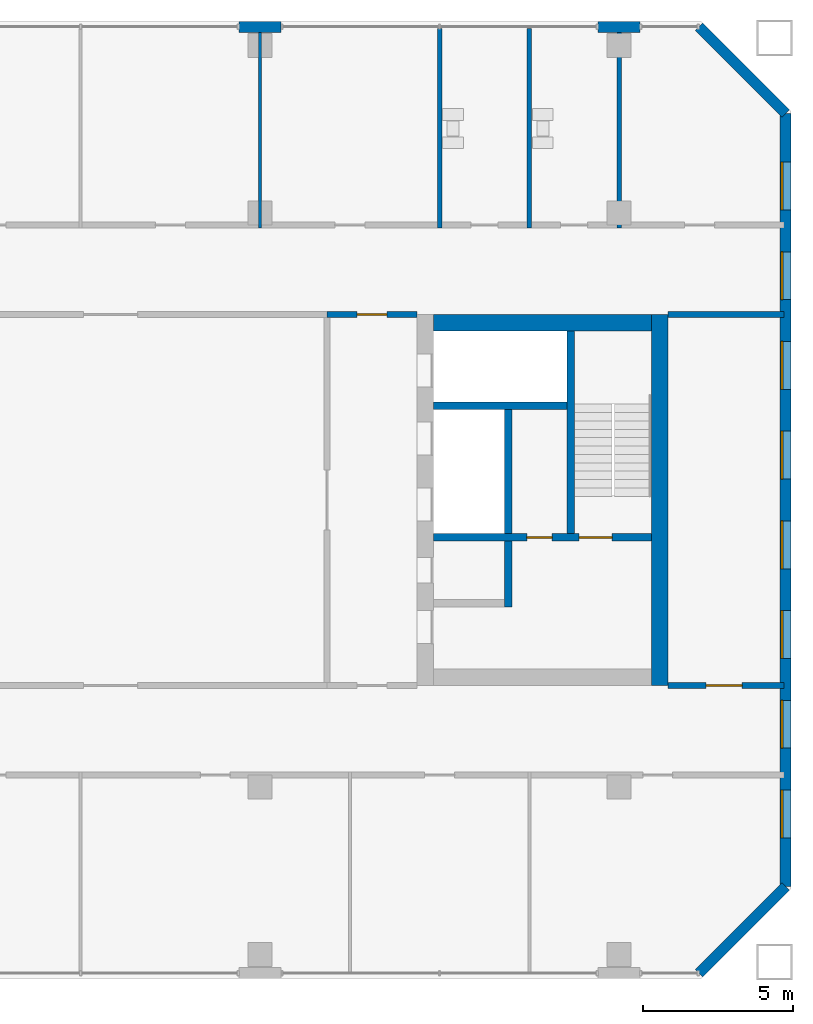
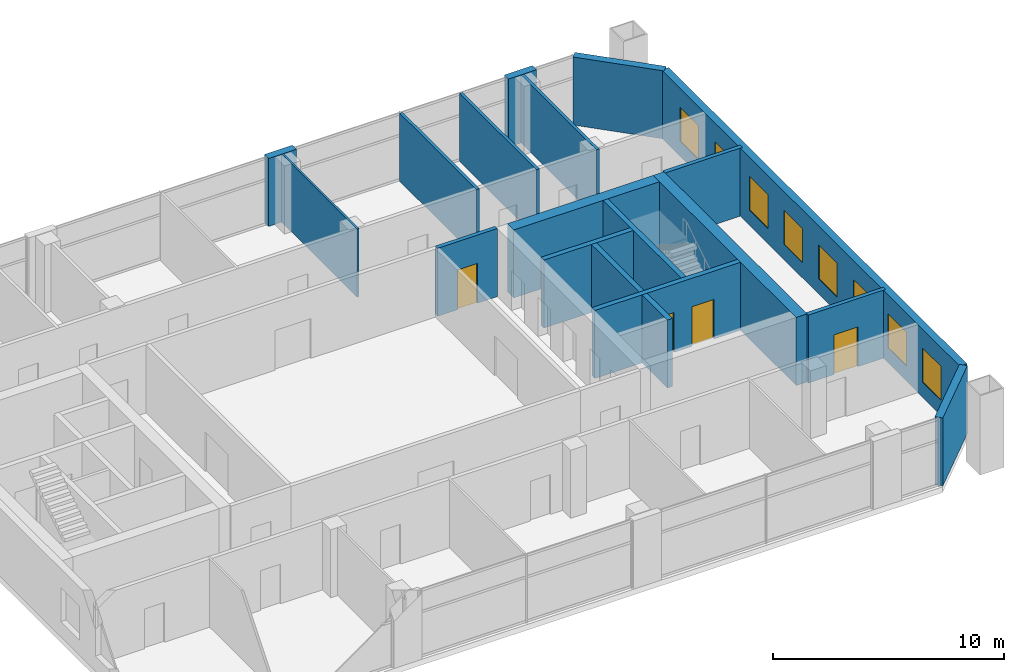
# One storey, part 14 of 17: 19 walls, 8 windows, 4 doors, 12 openings.
"""IFC4 building model written with IfcOpenShell, lengths in metres."""

from ifc_helpers import new_model, si_unit, direction, frame, frame_2d, origin, place, context, subcontext, project, spatial, rectangle, extrude, material, layer, layer_set, type_object, element, fill, save


model = new_model("IFC4")

# Units and contexts
model_context = context("Model", 3, precision=1e-05, world=origin(), true_north=direction((0.0, 1.0)))
body_context = subcontext(model_context, "Body", "Model", "MODEL_VIEW")
ifc_project = project(units=[si_unit("LENGTHUNIT", "METRE"), si_unit("AREAUNIT", "SQUARE_METRE"), si_unit("VOLUMEUNIT", "CUBIC_METRE"), si_unit("PLANEANGLEUNIT", "RADIAN"), si_unit("MASSUNIT", "GRAM", prefix="KILO")], contexts=[model_context])

# Site, building, storey
site_placement = place(None, origin())
site = spatial("IfcSite", under=ifc_project, at=site_placement, CompositionType="ELEMENT")
building_placement = place(site_placement, origin())
building = spatial("IfcBuilding", under=site, at=building_placement, Name="Tuart Gate Housing", CompositionType="ELEMENT")
storey_placement = place(building_placement, frame((0.0, 0.0, 119.5)))
storey = spatial("IfcBuildingStorey", under=building, at=storey_placement, Name="L33", CompositionType="ELEMENT", Elevation=119.5)

# Walls
ifc_material_1 = material(Name="Gypsum board on steel studs", Category="steel")
ifc_layer_1 = layer(ifc_material_1, 0.14990234375)
ifc_layer_set_1 = layer_set([ifc_layer_1], Name="Bathroom wall 150")
wall_type_1 = type_object("IfcWallType", Name="Bathroom wall 150", PredefinedType="PLUMBINGWALL", material=ifc_layer_set_1)
for number, where, z_axis, x_axis, name in (
    (1, (161.0, 79.10009765625, 0.0), (0.0, 0.0, 1.0), (0.0, 1.0, 0.0), "Bathroom wall 150"),
    (2, (164.0, 79.10009765625, 0.0), (0.0, 0.0, 1.0), (0.0, 1.0, 0.0), "Bathroom wall 150"),
    (3, (167.0, 79.10009765625, 0.0), (0.0, 0.0, 1.0), (0.0, 1.0, 0.0), "Bathroom wall 150"),
):
    element("IfcWall", number, at=place(storey_placement, frame(where, z_axis=z_axis, x_axis=x_axis)), inside=storey, type_object=wall_type_1, Name=name, PredefinedType="PLUMBINGWALL", context=body_context, shape_type="SweptSolid", body=[
        extrude(rectangle(XDim=6.659912109375, YDim=0.14990234375, at=frame_2d((3.330078125, 0.0))), origin(), (0.0, 0.0, 1.0), 3.60009765625),
    ])
ifc_material_2 = material(Name="Brick", Category="masonry")
ifc_layer_2 = layer(ifc_material_2, 0.360107421875)
ifc_layer_set_2 = layer_set([ifc_layer_2], Name="Brick pier and spandrel wall 360")
wall_type_2 = type_object("IfcWallType", Name="Brick pier and spandrel wall 360", PredefinedType="STANDARD", material=ifc_layer_set_2)
wall_1_placement = place(storey_placement, frame((169.67529296875, 54.179931640625, 0.0), z_axis=(0.0, 0.0, 1.0), x_axis=(0.707106781187, 0.707106781187, 0.0)))
element("IfcWall", 4, at=wall_1_placement, inside=storey, type_object=wall_type_2, Name="External wall B-SE L33", PredefinedType="STANDARD", context=body_context, shape_type="SweptSolid", body=[
    extrude(rectangle(XDim=4.09375, YDim=0.360107421875, at=frame_2d((2.046875, 0.0))), origin(), (0.0, 0.0, 1.0), 3.60009765625),
])

# Wall, openings, windows
wall_2_placement = place(storey_placement, frame((172.570068359375, 57.07470703125, 0.0), z_axis=(0.0, 0.0, 1.0), x_axis=(0.0, 1.0, 0.0)))
wall_2 = element("IfcWall", 5, at=wall_2_placement, inside=storey, type_object=wall_type_2, Name="External wall B-E L33", PredefinedType="STANDARD", context=body_context, shape_type="SweptSolid", body=[
    extrude(rectangle(XDim=25.850830078125, YDim=0.360107421875, at=frame_2d((12.92529296875, 0.0))), origin(), (0.0, 0.0, 1.0), 3.60009765625),
])
opening_1_placement = place(wall_2_placement, frame((1.62548828125, 0.0, 0.800048828125)))
opening_1 = element("IfcOpeningElement", 6, at=opening_1_placement, cuts=wall_2, Name="Opening W1", PredefinedType="OPENING", context=body_context, shape_type="SweptSolid", body=[
    extrude(rectangle(XDim=1.60009765625, YDim=1.800048828125, at=frame_2d((0.800048828125, 0.89990234375))), frame((0.0, 0.18994140625, 0.0), z_axis=(0.0, -1.0, 0.0), x_axis=(1.0, 0.0, 0.0)), (0.0, 0.0, 1.0), 0.380126953125),
])
opening_2_placement = place(wall_2_placement, frame((4.62548828125, 0.0, 0.800048828125)))
opening_2 = element("IfcOpeningElement", 7, at=opening_2_placement, cuts=wall_2, Name="Opening W1", PredefinedType="OPENING", context=body_context, shape_type="SweptSolid", body=[
    extrude(rectangle(XDim=1.60009765625, YDim=1.800048828125, at=frame_2d((0.800048828125, 0.89990234375))), frame((0.0, 0.18994140625, 0.0), z_axis=(0.0, -1.0, 0.0), x_axis=(1.0, 0.0, 0.0)), (0.0, 0.0, 1.0), 0.380126953125),
])
opening_3_placement = place(wall_2_placement, frame((7.62548828125, 0.0, 0.800048828125)))
opening_3 = element("IfcOpeningElement", 8, at=opening_3_placement, cuts=wall_2, Name="Opening W1", PredefinedType="OPENING", context=body_context, shape_type="SweptSolid", body=[
    extrude(rectangle(XDim=1.60009765625, YDim=1.800048828125, at=frame_2d((0.800048828125, 0.89990234375))), frame((0.0, 0.18994140625, 0.0), z_axis=(0.0, -1.0, 0.0), x_axis=(1.0, 0.0, 0.0)), (0.0, 0.0, 1.0), 0.380126953125),
])
opening_4_placement = place(wall_2_placement, frame((10.62548828125, 0.0, 0.800048828125)))
opening_4 = element("IfcOpeningElement", 9, at=opening_4_placement, cuts=wall_2, Name="Opening W1", PredefinedType="OPENING", context=body_context, shape_type="SweptSolid", body=[
    extrude(rectangle(XDim=1.60009765625, YDim=1.800048828125, at=frame_2d((0.800048828125, 0.89990234375))), frame((0.0, 0.18994140625, 0.0), z_axis=(0.0, -1.0, 0.0), x_axis=(1.0, 0.0, 0.0)), (0.0, 0.0, 1.0), 0.380126953125),
])
opening_5_placement = place(wall_2_placement, frame((13.62548828125, 0.0, 0.800048828125)))
opening_5 = element("IfcOpeningElement", 10, at=opening_5_placement, cuts=wall_2, Name="Opening W1", PredefinedType="OPENING", context=body_context, shape_type="SweptSolid", body=[
    extrude(rectangle(XDim=1.60009765625, YDim=1.800048828125, at=frame_2d((0.800048828125, 0.89990234375))), frame((0.0, 0.18994140625, 0.0), z_axis=(0.0, -1.0, 0.0), x_axis=(1.0, 0.0, 0.0)), (0.0, 0.0, 1.0), 0.380126953125),
])
opening_6_placement = place(wall_2_placement, frame((16.62548828125, 0.0, 0.800048828125)))
opening_6 = element("IfcOpeningElement", 11, at=opening_6_placement, cuts=wall_2, Name="Opening W1", PredefinedType="OPENING", context=body_context, shape_type="SweptSolid", body=[
    extrude(rectangle(XDim=1.60009765625, YDim=1.800048828125, at=frame_2d((0.800048828125, 0.89990234375))), frame((0.0, 0.18994140625, 0.0), z_axis=(0.0, -1.0, 0.0), x_axis=(1.0, 0.0, 0.0)), (0.0, 0.0, 1.0), 0.380126953125),
])
opening_7_placement = place(wall_2_placement, frame((19.62548828125, 0.0, 0.800048828125)))
opening_7 = element("IfcOpeningElement", 12, at=opening_7_placement, cuts=wall_2, Name="Opening W1", PredefinedType="OPENING", context=body_context, shape_type="SweptSolid", body=[
    extrude(rectangle(XDim=1.60009765625, YDim=1.800048828125, at=frame_2d((0.800048828125, 0.89990234375))), frame((0.0, 0.18994140625, 0.0), z_axis=(0.0, -1.0, 0.0), x_axis=(1.0, 0.0, 0.0)), (0.0, 0.0, 1.0), 0.380126953125),
])
opening_8_placement = place(wall_2_placement, frame((22.62548828125, 0.0, 0.800048828125)))
opening_8 = element("IfcOpeningElement", 13, at=opening_8_placement, cuts=wall_2, Name="Opening W1", PredefinedType="OPENING", context=body_context, shape_type="SweptSolid", body=[
    extrude(rectangle(XDim=1.60009765625, YDim=1.800048828125, at=frame_2d((0.800048828125, 0.89990234375))), frame((0.0, 0.18994140625, 0.0), z_axis=(0.0, -1.0, 0.0), x_axis=(1.0, 0.0, 0.0)), (0.0, 0.0, 1.0), 0.380126953125),
])
ifc_material_3 = material(Name="Aluminium frame with clear glass", Category="aluminium")
window_type = type_object("IfcWindowType", Name="Punched window 1600 x 1800", PartitioningType="SINGLE_PANEL", PredefinedType="WINDOW", material=ifc_material_3)
window_1_placement = place(opening_1_placement, origin())
window_1 = element("IfcWindow", 14, at=window_1_placement, inside=storey, type_object=window_type, Name="Window W1", OverallHeight=1.800048828125, OverallWidth=1.60009765625, PartitioningType="SINGLE_PANEL", PredefinedType="WINDOW", context=body_context, shape_type="SweptSolid", body=[
    extrude(rectangle(XDim=1.60009765625, YDim=1.800048828125, at=frame_2d((0.800048828125, 0.89990234375))), frame((0.0, 0.150146484375, 0.0), z_axis=(0.0, -1.0, 0.0), x_axis=(1.0, 0.0, 0.0)), (0.0, 0.0, 1.0), 0.06005859375),
])
fill(opening_1, window_1)
window_2_placement = place(opening_2_placement, origin())
window_2 = element("IfcWindow", 15, at=window_2_placement, inside=storey, type_object=window_type, Name="Window W1", OverallHeight=1.800048828125, OverallWidth=1.60009765625, PartitioningType="SINGLE_PANEL", PredefinedType="WINDOW", context=body_context, shape_type="SweptSolid", body=[
    extrude(rectangle(XDim=1.60009765625, YDim=1.800048828125, at=frame_2d((0.800048828125, 0.89990234375))), frame((0.0, 0.150146484375, 0.0), z_axis=(0.0, -1.0, 0.0), x_axis=(1.0, 0.0, 0.0)), (0.0, 0.0, 1.0), 0.06005859375),
])
fill(opening_2, window_2)
window_3_placement = place(opening_3_placement, origin())
window_3 = element("IfcWindow", 16, at=window_3_placement, inside=storey, type_object=window_type, Name="Window W1", OverallHeight=1.800048828125, OverallWidth=1.60009765625, PartitioningType="SINGLE_PANEL", PredefinedType="WINDOW", context=body_context, shape_type="SweptSolid", body=[
    extrude(rectangle(XDim=1.60009765625, YDim=1.800048828125, at=frame_2d((0.800048828125, 0.89990234375))), frame((0.0, 0.150146484375, 0.0), z_axis=(0.0, -1.0, 0.0), x_axis=(1.0, 0.0, 0.0)), (0.0, 0.0, 1.0), 0.06005859375),
])
fill(opening_3, window_3)
window_4_placement = place(opening_4_placement, origin())
window_4 = element("IfcWindow", 17, at=window_4_placement, inside=storey, type_object=window_type, Name="Window W1", OverallHeight=1.800048828125, OverallWidth=1.60009765625, PartitioningType="SINGLE_PANEL", PredefinedType="WINDOW", context=body_context, shape_type="SweptSolid", body=[
    extrude(rectangle(XDim=1.60009765625, YDim=1.800048828125, at=frame_2d((0.800048828125, 0.89990234375))), frame((0.0, 0.150146484375, 0.0), z_axis=(0.0, -1.0, 0.0), x_axis=(1.0, 0.0, 0.0)), (0.0, 0.0, 1.0), 0.06005859375),
])
fill(opening_4, window_4)
window_5_placement = place(opening_5_placement, origin())
window_5 = element("IfcWindow", 18, at=window_5_placement, inside=storey, type_object=window_type, Name="Window W1", OverallHeight=1.800048828125, OverallWidth=1.60009765625, PartitioningType="SINGLE_PANEL", PredefinedType="WINDOW", context=body_context, shape_type="SweptSolid", body=[
    extrude(rectangle(XDim=1.60009765625, YDim=1.800048828125, at=frame_2d((0.800048828125, 0.89990234375))), frame((0.0, 0.150146484375, 0.0), z_axis=(0.0, -1.0, 0.0), x_axis=(1.0, 0.0, 0.0)), (0.0, 0.0, 1.0), 0.06005859375),
])
fill(opening_5, window_5)
window_6_placement = place(opening_6_placement, origin())
window_6 = element("IfcWindow", 19, at=window_6_placement, inside=storey, type_object=window_type, Name="Window W1", OverallHeight=1.800048828125, OverallWidth=1.60009765625, PartitioningType="SINGLE_PANEL", PredefinedType="WINDOW", context=body_context, shape_type="SweptSolid", body=[
    extrude(rectangle(XDim=1.60009765625, YDim=1.800048828125, at=frame_2d((0.800048828125, 0.89990234375))), frame((0.0, 0.150146484375, 0.0), z_axis=(0.0, -1.0, 0.0), x_axis=(1.0, 0.0, 0.0)), (0.0, 0.0, 1.0), 0.06005859375),
])
fill(opening_6, window_6)
window_7_placement = place(opening_7_placement, origin())
window_7 = element("IfcWindow", 20, at=window_7_placement, inside=storey, type_object=window_type, Name="Window W1", OverallHeight=1.800048828125, OverallWidth=1.60009765625, PartitioningType="SINGLE_PANEL", PredefinedType="WINDOW", context=body_context, shape_type="SweptSolid", body=[
    extrude(rectangle(XDim=1.60009765625, YDim=1.800048828125, at=frame_2d((0.800048828125, 0.89990234375))), frame((0.0, 0.150146484375, 0.0), z_axis=(0.0, -1.0, 0.0), x_axis=(1.0, 0.0, 0.0)), (0.0, 0.0, 1.0), 0.06005859375),
])
fill(opening_7, window_7)
window_8_placement = place(opening_8_placement, origin())
window_8 = element("IfcWindow", 21, at=window_8_placement, inside=storey, type_object=window_type, Name="Window W1", OverallHeight=1.800048828125, OverallWidth=1.60009765625, PartitioningType="SINGLE_PANEL", PredefinedType="WINDOW", context=body_context, shape_type="SweptSolid", body=[
    extrude(rectangle(XDim=1.60009765625, YDim=1.800048828125, at=frame_2d((0.800048828125, 0.89990234375))), frame((0.0, 0.150146484375, 0.0), z_axis=(0.0, -1.0, 0.0), x_axis=(1.0, 0.0, 0.0)), (0.0, 0.0, 1.0), 0.06005859375),
])
fill(opening_8, window_8)

# Walls
wall_3_placement = place(storey_placement, frame((172.570068359375, 82.92529296875, 0.0), z_axis=(0.0, 0.0, 1.0), x_axis=(-0.707106781187, 0.707106781187, 0.0)))
element("IfcWall", 22, at=wall_3_placement, inside=storey, type_object=wall_type_2, Name="External wall B-NE L33", PredefinedType="STANDARD", context=body_context, shape_type="SweptSolid", body=[
    extrude(rectangle(XDim=4.09375, YDim=0.360107421875, at=frame_2d((2.046875, 0.0))), origin(), (0.0, 0.0, 1.0), 3.60009765625),
])
for number, where, z_axis, x_axis, name in (
    (23, (167.699951171875, 85.820068359375, 0.0), (0.0, 0.0, 1.0), (-1.0, 0.0, 0.0), "External wall B-N L33"),
    (24, (155.699951171875, 85.820068359375, 0.0), (0.0, 0.0, 1.0), (-1.0, 0.0, 0.0), "External wall B-N L33"),
):
    element("IfcWall", number, at=place(storey_placement, frame(where, z_axis=z_axis, x_axis=x_axis)), inside=storey, type_object=wall_type_2, Name=name, PredefinedType="STANDARD", context=body_context, shape_type="SweptSolid", body=[
        extrude(rectangle(XDim=1.39990234375, YDim=0.360107421875, at=frame_2d((0.699951171875, 0.0))), origin(), (0.0, 0.0, 1.0), 3.60009765625),
    ])
ifc_material_4 = material(Name="Concrete C50", Category="concrete")
ifc_layer_3 = layer(ifc_material_4, 0.25)
ifc_layer_set_3 = layer_set([ifc_layer_3], Name="Core wall 250 C50")
wall_type_3 = type_object("IfcWallType", Name="Core wall 250 C50", PredefinedType="SHEAR", material=ifc_layer_set_3)
wall_4_placement = place(storey_placement, frame((160.7900390625, 73.14990234375, 0.0), z_axis=(0.0, 0.0, 1.0), x_axis=(1.0, 0.0, 0.0)))
element("IfcWall", 25, at=wall_4_placement, inside=storey, type_object=wall_type_3, Name="Core wall BK.1", PredefinedType="SHEAR", context=body_context, shape_type="SweptSolid", body=[
    extrude(rectangle(XDim=4.474853515625, YDim=0.25, at=frame_2d((2.2373046875, 0.0))), origin(), (0.0, 0.0, 1.0), 3.60009765625),
])

# Wall, openings, doors
wall_5_placement = place(storey_placement, frame((160.7900390625, 68.75, 0.0), z_axis=(0.0, 0.0, 1.0), x_axis=(1.0, 0.0, 0.0)))
wall_5 = element("IfcWall", 26, at=wall_5_placement, inside=storey, type_object=wall_type_3, Name="Core wall BK.2", PredefinedType="SHEAR", context=body_context, shape_type="SweptSolid", body=[
    extrude(rectangle(XDim=7.300048828125, YDim=0.25, at=frame_2d((3.64990234375, 0.0))), origin(), (0.0, 0.0, 1.0), 3.60009765625),
])
opening_9_placement = place(wall_5_placement, frame((4.875, 0.0, 0.0)))
opening_9 = element("IfcOpeningElement", 27, at=opening_9_placement, cuts=wall_5, Name="Opening D196", PredefinedType="OPENING", context=body_context, shape_type="SweptSolid", body=[
    extrude(rectangle(XDim=1.10009765625, YDim=2.10009765625, at=frame_2d((0.550048828125, 1.050048828125))), frame((0.0, 0.135009765625, 0.0), z_axis=(0.0, -1.0, 0.0), x_axis=(1.0, 0.0, 0.0)), (0.0, 0.0, 1.0), 0.27001953125),
])
opening_10_placement = place(wall_5_placement, frame((3.125, 0.0, 0.0)))
opening_10 = element("IfcOpeningElement", 28, at=opening_10_placement, cuts=wall_5, Name="Opening D195", PredefinedType="OPENING", context=body_context, shape_type="SweptSolid", body=[
    extrude(rectangle(XDim=0.85009765625, YDim=2.10009765625, at=frame_2d((0.425048828125, 1.050048828125))), frame((0.0, 0.135009765625, 0.0), z_axis=(0.0, -1.0, 0.0), x_axis=(1.0, 0.0, 0.0)), (0.0, 0.0, 1.0), 0.27001953125),
])
ifc_material_5 = material(Name="Steel fire door", Category="steel")
door_type_1 = type_object("IfcDoorType", Name="Riser door 850 x 2100", OperationType="SINGLE_SWING_LEFT", PredefinedType="DOOR", material=ifc_material_5)
door_1_placement = place(opening_10_placement, origin())
door_1 = element("IfcDoor", 29, at=door_1_placement, inside=storey, type_object=door_type_1, Name="Service room door BK.W1", OperationType="SINGLE_SWING_LEFT", OverallHeight=2.10009765625, OverallWidth=0.85009765625, PredefinedType="DOOR", context=body_context, shape_type="SweptSolid", body=[
    extrude(rectangle(XDim=0.85009765625, YDim=2.10009765625, at=frame_2d((0.425048828125, 1.050048828125))), frame((0.0, 0.02490234375, 0.0), z_axis=(0.0, -1.0, 0.0), x_axis=(1.0, 0.0, 0.0)), (0.0, 0.0, 1.0), 0.050048828125),
])
fill(opening_10, door_1)
ifc_material_6 = material(Name="Steel fire door", Category="steel")
door_type_2 = type_object("IfcDoorType", Name="Stair door 1100 x 2100", OperationType="SINGLE_SWING_LEFT", PredefinedType="DOOR", material=ifc_material_6)
door_2_placement = place(opening_9_placement, origin())
door_2 = element("IfcDoor", 30, at=door_2_placement, inside=storey, type_object=door_type_2, Name="Stair door BK.SD", OperationType="SINGLE_SWING_LEFT", OverallHeight=2.10009765625, OverallWidth=1.10009765625, PredefinedType="DOOR", context=body_context, shape_type="SweptSolid", body=[
    extrude(rectangle(XDim=1.10009765625, YDim=2.10009765625, at=frame_2d((0.550048828125, 1.050048828125))), frame((0.0, 0.02490234375, 0.0), z_axis=(0.0, -1.0, 0.0), x_axis=(1.0, 0.0, 0.0)), (0.0, 0.0, 1.0), 0.050048828125),
])
fill(opening_9, door_2)

# Walls
wall_6_placement = place(storey_placement, frame((163.2900390625, 73.02490234375, 0.0), z_axis=(0.0, 0.0, 1.0), x_axis=(0.0, -1.0, 0.0)))
element("IfcWall", 31, at=wall_6_placement, inside=storey, type_object=wall_type_3, Name="Core wall BK.4", PredefinedType="SHEAR", context=body_context, shape_type="SweptSolid", body=[
    extrude(rectangle(XDim=4.14990234375, YDim=0.25, at=frame_2d((2.074951171875, 0.0))), origin(), (0.0, 0.0, 1.0), 3.60009765625),
])
wall_7_placement = place(storey_placement, frame((163.2900390625, 68.625, 0.0), z_axis=(0.0, 0.0, 1.0), x_axis=(0.0, -1.0, 0.0)))
element("IfcWall", 32, at=wall_7_placement, inside=storey, type_object=wall_type_3, Name="Core wall BK.5", PredefinedType="SHEAR", context=body_context, shape_type="SweptSolid", body=[
    extrude(rectangle(XDim=2.199951171875, YDim=0.25, at=frame_2d((1.10009765625, 0.0))), origin(), (0.0, 0.0, 1.0), 3.60009765625),
])
wall_8_placement = place(storey_placement, frame((165.389892578125, 75.64990234375, 0.0), z_axis=(0.0, 0.0, 1.0), x_axis=(0.0, -1.0, 0.0)))
element("IfcWall", 33, at=wall_8_placement, inside=storey, type_object=wall_type_3, Name="Core wall BK.6", PredefinedType="SHEAR", context=body_context, shape_type="SweptSolid", body=[
    extrude(rectangle(XDim=6.77490234375, YDim=0.25, at=frame_2d((3.387451171875, 0.0))), origin(), (0.0, 0.0, 1.0), 3.60009765625),
])
ifc_material_7 = material(Name="Concrete C50", Category="concrete")
ifc_layer_4 = layer(ifc_material_7, 0.550048828125)
ifc_layer_set_4 = layer_set([ifc_layer_4], Name="Core wall 550 C50")
wall_type_4 = type_object("IfcWallType", Name="Core wall 550 C50", PredefinedType="SHEAR", material=ifc_layer_set_4)
wall_9_placement = place(storey_placement, frame((168.364990234375, 76.199951171875, 0.0), z_axis=(0.0, 0.0, 1.0), x_axis=(0.0, -1.0, 0.0)))
element("IfcWall", 34, at=wall_9_placement, inside=storey, type_object=wall_type_4, Name="Core wall BK back", PredefinedType="SHEAR", context=body_context, shape_type="SweptSolid", body=[
    extrude(rectangle(XDim=12.39990234375, YDim=0.550048828125, at=frame_2d((6.199951171875, 0.0))), origin(), (0.0, 0.0, 1.0), 3.60009765625),
])
wall_10_placement = place(storey_placement, frame((160.7900390625, 75.925048828125, 0.0), z_axis=(0.0, 0.0, 1.0), x_axis=(1.0, 0.0, 0.0)))
element("IfcWall", 35, at=wall_10_placement, inside=storey, type_object=wall_type_4, Name="Core wall BK south", PredefinedType="SHEAR", context=body_context, shape_type="SweptSolid", body=[
    extrude(rectangle(XDim=7.300048828125, YDim=0.550048828125, at=frame_2d((3.64990234375, 0.0))), origin(), (0.0, 0.0, 1.0), 3.60009765625),
])

# Wall, opening, door
ifc_material_8 = material(Name="Concrete masonry 15 MPa", Category="masonry")
ifc_layer_5 = layer(ifc_material_8, 0.199951171875)
ifc_layer_set_5 = layer_set([ifc_layer_5], Name="Corridor wall masonry 200")
wall_type_5 = type_object("IfcWallType", Name="Corridor wall masonry 200", PredefinedType="PARTITIONING", material=ifc_layer_set_5)
wall_11_placement = place(storey_placement, frame((168.639892578125, 63.800048828125, 0.0), z_axis=(0.0, 0.0, 1.0), x_axis=(1.0, 0.0, 0.0)))
wall_11 = element("IfcWall", 36, at=wall_11_placement, inside=storey, type_object=wall_type_5, Name="Corridor wall masonry 200", PredefinedType="PARTITIONING", context=body_context, shape_type="SweptSolid", body=[
    extrude(rectangle(XDim=3.8701171875, YDim=0.199951171875, at=frame_2d((1.93505859375, 0.0))), origin(), (0.0, 0.0, 1.0), 3.60009765625),
])
opening_11_placement = place(wall_11_placement, frame((1.27490234375, 0.0, 0.0)))
opening_11 = element("IfcOpeningElement", 37, at=opening_11_placement, cuts=wall_11, Name="Opening D200", PredefinedType="OPENING", context=body_context, shape_type="SweptSolid", body=[
    extrude(rectangle(XDim=1.199951171875, YDim=2.10009765625, at=frame_2d((0.60009765625, 1.050048828125))), frame((0.0, 0.10986328125, 0.0), z_axis=(0.0, -1.0, 0.0), x_axis=(1.0, 0.0, 0.0)), (0.0, 0.0, 1.0), 0.219970703125),
])
ifc_material_9 = material(Name="Timber door leaf in steel frame", Category="steel")
door_type_3 = type_object("IfcDoorType", Name="Fire door 1200", OperationType="SINGLE_SWING_LEFT", PredefinedType="DOOR", material=ifc_material_9)
door_3_placement = place(opening_11_placement, origin())
door_3 = element("IfcDoor", 38, at=door_3_placement, inside=storey, type_object=door_type_3, Name="Fire door 1200", OperationType="SINGLE_SWING_LEFT", OverallHeight=2.10009765625, OverallWidth=1.199951171875, PredefinedType="DOOR", context=body_context, shape_type="SweptSolid", body=[
    extrude(rectangle(XDim=1.199951171875, YDim=2.10009765625, at=frame_2d((0.60009765625, 1.050048828125))), frame((0.0, 0.02490234375, 0.0), z_axis=(0.0, -1.0, 0.0), x_axis=(1.0, 0.0, 0.0)), (0.0, 0.0, 1.0), 0.050048828125),
])
fill(opening_11, door_3)

# Wall
wall_12_placement = place(storey_placement, frame((168.639892578125, 76.199951171875, 0.0), z_axis=(0.0, 0.0, 1.0), x_axis=(1.0, 0.0, 0.0)))
element("IfcWall", 39, at=wall_12_placement, inside=storey, type_object=wall_type_5, Name="Corridor wall masonry 200", PredefinedType="PARTITIONING", context=body_context, shape_type="SweptSolid", body=[
    extrude(rectangle(XDim=3.8701171875, YDim=0.199951171875, at=frame_2d((1.93505859375, 0.0))), origin(), (0.0, 0.0, 1.0), 3.60009765625),
])

# Wall, opening, door
ifc_material_10 = material(Name="Concrete masonry 15 MPa", Category="masonry")
ifc_layer_6 = layer(ifc_material_10, 0.199951171875)
ifc_layer_set_6 = layer_set([ifc_layer_6], Name="Enclosure wall masonry 200")
wall_type_6 = type_object("IfcWallType", Name="Enclosure wall masonry 200", PredefinedType="PARTITIONING", material=ifc_layer_set_6)
wall_13_placement = place(storey_placement, frame((157.239990234375, 76.199951171875, 0.0), z_axis=(0.0, 0.0, 1.0), x_axis=(1.0, 0.0, 0.0)))
wall_13 = element("IfcWall", 40, at=wall_13_placement, inside=storey, type_object=wall_type_6, Name="Enclosure wall masonry 200", PredefinedType="PARTITIONING", context=body_context, shape_type="SweptSolid", body=[
    extrude(rectangle(XDim=3.0, YDim=0.199951171875, at=frame_2d((1.5, 0.0))), origin(), (0.0, 0.0, 1.0), 3.60009765625),
])
opening_12_placement = place(wall_13_placement, frame((1.0, 0.0, 0.0)))
opening_12 = element("IfcOpeningElement", 41, at=opening_12_placement, cuts=wall_13, Name="Opening D185", PredefinedType="OPENING", context=body_context, shape_type="SweptSolid", body=[
    extrude(rectangle(XDim=1.0, YDim=2.10009765625, at=frame_2d((0.5, 1.050048828125))), frame((0.0, 0.10986328125, 0.0), z_axis=(0.0, -1.0, 0.0), x_axis=(1.0, 0.0, 0.0)), (0.0, 0.0, 1.0), 0.219970703125),
])
ifc_material_11 = material(Name="Timber door leaf in steel frame", Category="steel")
door_type_4 = type_object("IfcDoorType", Name="Lobby door 1000 RH", OperationType="SINGLE_SWING_RIGHT", PredefinedType="DOOR", material=ifc_material_11)
door_4_placement = place(opening_12_placement, frame((1.0, 0.0, 0.0), z_axis=(0.0, 0.0, 1.0), x_axis=(-1.0, 0.0, 0.0)))
door_4 = element("IfcDoor", 42, at=door_4_placement, inside=storey, type_object=door_type_4, Name="Lobby door 1000", OperationType="SINGLE_SWING_RIGHT", OverallHeight=2.10009765625, OverallWidth=1.0, PredefinedType="DOOR", context=body_context, shape_type="SweptSolid", body=[
    extrude(rectangle(XDim=1.0, YDim=2.10009765625, at=frame_2d((0.5, 1.050048828125))), frame((0.0, 0.025146484375, 0.0), z_axis=(0.0, -1.0, 0.0), x_axis=(1.0, 0.0, 0.0)), (0.0, 0.0, 1.0), 0.050048828125),
])
fill(opening_12, door_4)

# Wall
ifc_material_12 = material(Name="Gypsum board on steel studs", Category="steel")
ifc_layer_7 = layer(ifc_material_12, 0.10009765625)
ifc_layer_set_7 = layer_set([ifc_layer_7], Name="Partition 100")
wall_type_7 = type_object("IfcWallType", Name="Partition 100", PredefinedType="PARTITIONING", material=ifc_layer_set_7)
wall_14_placement = place(storey_placement, frame((155.0, 79.10009765625, 0.0), z_axis=(0.0, 0.0, 1.0), x_axis=(0.0, 1.0, 0.0)))
element("IfcWall", 43, at=wall_14_placement, inside=storey, type_object=wall_type_7, Name="Partition 100", PredefinedType="PARTITIONING", context=body_context, shape_type="SweptSolid", body=[
    extrude(rectangle(XDim=6.659912109375, YDim=0.10009765625, at=frame_2d((3.330078125, 0.0))), origin(), (0.0, 0.0, 1.0), 3.60009765625),
])

save(model, "model.ifc")
